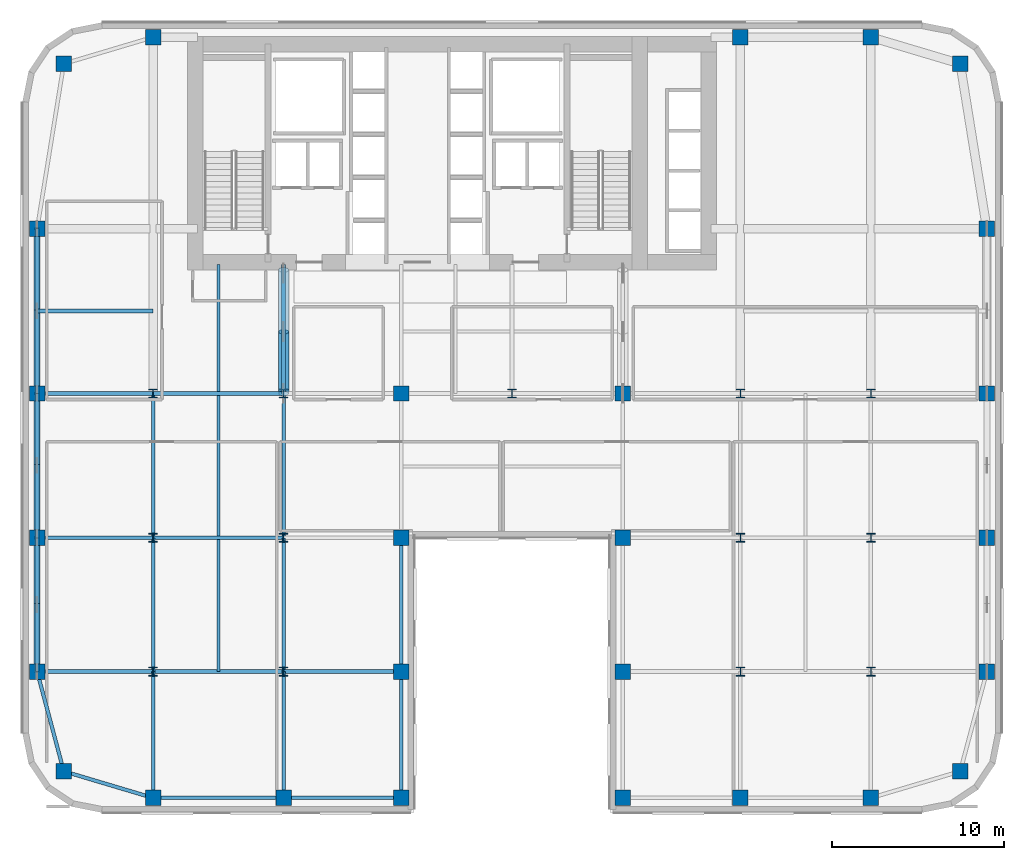
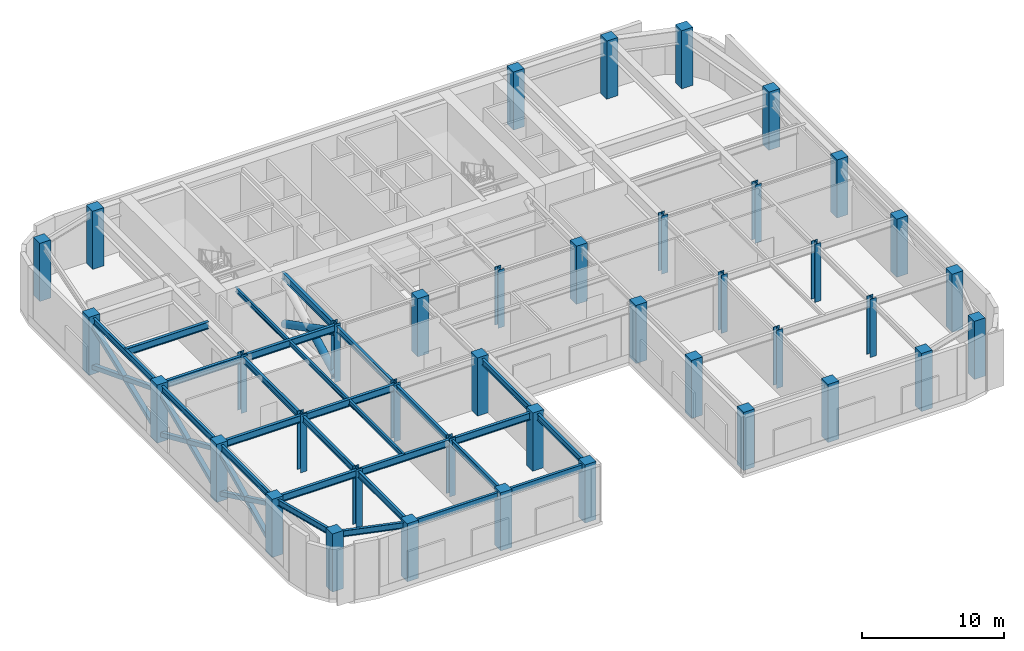
# One storey, part 1 of 11: 40 columns, 27 beams, 11 members.
"""IFC4 building model written with IfcOpenShell, lengths in metres."""

from ifc_helpers import new_model, si_unit, direction, frame, origin, origin_2d, place, context, subcontext, project, spatial, rectangle, hollow_rectangle, hollow_circle, i_section, extrude, source, transform, mapped, material, material_profile, profile_set, type_object, type_shapes, element, save


model = new_model("IFC4")

# Units and contexts
model_context = context("Model", 3, precision=1e-05, world=origin(), true_north=direction((0.0, 1.0)))
body_context = subcontext(model_context, "Body", "Model", "MODEL_VIEW")
ifc_project = project(units=[si_unit("LENGTHUNIT", "METRE"), si_unit("AREAUNIT", "SQUARE_METRE"), si_unit("VOLUMEUNIT", "CUBIC_METRE"), si_unit("PLANEANGLEUNIT", "RADIAN"), si_unit("MASSUNIT", "GRAM", prefix="KILO")], contexts=[model_context])

# Site, building, storey
site_placement = place(None, origin())
site = spatial("IfcSite", under=ifc_project, at=site_placement, CompositionType="ELEMENT")
building_placement = place(site_placement, origin())
building = spatial("IfcBuilding", under=site, at=building_placement, Name="Tolvann Quenvar Hotel", CompositionType="ELEMENT")
storey_placement = place(building_placement, frame((0.0, 0.0, 95.89990234375)))
storey = spatial("IfcBuildingStorey", under=building, at=storey_placement, Name="L24", CompositionType="ELEMENT", Elevation=95.89990234375)

# Columns
ifc_material_1 = material(Name="Concrete S65 (65 MPa)", Category="concrete")
ifc_material_profile_1 = material_profile(ifc_material_1, rectangle(XDim=0.89990234375, YDim=0.89990234375, at=origin_2d()), Name="RC900x900")
ifc_profile_set_1 = profile_set([ifc_material_profile_1], Name="Concrete S65 (65 MPa)")
column_type_1 = type_object("IfcColumnType", Name="COL_RC900", PredefinedType="COLUMN", material=ifc_profile_set_1)
shared_shape_1 = source(origin(), body_context, "Body", "SweptSolid", [
    extrude(rectangle(XDim=0.89990234375, YDim=0.89990234375, at=origin_2d()), origin(), (0.0, 0.0, 1.0), 5.0),
])
type_shapes(column_type_1, [shared_shape_1])
for number, where, z_axis, x_axis, name in (
    (1, (2.39990234375, 2.39990234375, 0.0), (0.0, 0.0, 1.0), (1.0, 0.0, 0.0), "Column B2 (L24)"),
    (2, (0.85009765625, 8.199951171875, 0.0), (0.0, 0.0, 1.0), (1.0, 0.0, 0.0), "Column B3 (L24)"),
    (3, (0.85009765625, 16.0, 0.0), (0.0, 0.0, 1.0), (1.0, 0.0, 0.0), "Column B4 (L24)"),
    (4, (0.85009765625, 24.39990234375, 0.0), (0.0, 0.0, 1.0), (1.0, 0.0, 0.0), "Column B5 (L24)"),
    (5, (7.60009765625, 0.85009765625, 0.0), (0.0, 0.0, 1.0), (1.0, 0.0, 0.0), "Column C2 (L24)"),
    (6, (15.199951171875, 0.85009765625, 0.0), (0.0, 0.0, 1.0), (1.0, 0.0, 0.0), "Column D2 (L24)"),
    (7, (22.050048828125, 0.85009765625, 0.0), (0.0, 0.0, 1.0), (1.0, 0.0, 0.0), "Column E2 (L24)"),
    (8, (22.050048828125, 8.199951171875, 0.0), (0.0, 0.0, 1.0), (1.0, 0.0, 0.0), "Column E3 (L24)"),
    (9, (22.050048828125, 16.0, 0.0), (0.0, 0.0, 1.0), (1.0, 0.0, 0.0), "Column E4 (L24)"),
    (10, (22.050048828125, 24.39990234375, 0.0), (0.0, 0.0, 1.0), (1.0, 0.0, 0.0), "Column E5 (L24)"),
    (11, (34.949951171875, 0.85009765625, 0.0), (0.0, 0.0, 1.0), (1.0, 0.0, 0.0), "Column F2 (L24)"),
    (12, (34.949951171875, 8.199951171875, 0.0), (0.0, 0.0, 1.0), (1.0, 0.0, 0.0), "Column F3 (L24)"),
    (13, (34.949951171875, 16.0, 0.0), (0.0, 0.0, 1.0), (1.0, 0.0, 0.0), "Column F4 (L24)"),
    (14, (34.949951171875, 24.39990234375, 0.0), (0.0, 0.0, 1.0), (1.0, 0.0, 0.0), "Column F5 (L24)"),
    (15, (41.800048828125, 0.85009765625, 0.0), (0.0, 0.0, 1.0), (1.0, 0.0, 0.0), "Column H2 (L24)"),
    (16, (49.39990234375, 0.85009765625, 0.0), (0.0, 0.0, 1.0), (1.0, 0.0, 0.0), "Column I2 (L24)"),
    (17, (54.60009765625, 2.39990234375, 0.0), (0.0, 0.0, 1.0), (1.0, 0.0, 0.0), "Column J2 (L24)"),
    (18, (56.14990234375, 8.199951171875, 0.0), (0.0, 0.0, 1.0), (1.0, 0.0, 0.0), "Column J3 (L24)"),
    (19, (56.14990234375, 16.0, 0.0), (0.0, 0.0, 1.0), (1.0, 0.0, 0.0), "Column J4 (L24)"),
    (20, (56.14990234375, 24.39990234375, 0.0), (0.0, 0.0, 1.0), (1.0, 0.0, 0.0), "Column J5 (L24)"),
    (21, (2.39990234375, 43.60009765625, 0.0), (0.0, 0.0, 1.0), (1.0, 0.0, 0.0), "Column BN (L24)"),
    (22, (7.60009765625, 45.14990234375, 0.0), (0.0, 0.0, 1.0), (1.0, 0.0, 0.0), "Column CN (L24)"),
    (23, (0.85009765625, 34.0, 0.0), (0.0, 0.0, 1.0), (1.0, 0.0, 0.0), "Column BD6 (L24)"),
    (24, (41.800048828125, 45.14990234375, 0.0), (0.0, 0.0, 1.0), (1.0, 0.0, 0.0), "Column HN (L24)"),
    (25, (49.39990234375, 45.14990234375, 0.0), (0.0, 0.0, 1.0), (1.0, 0.0, 0.0), "Column IN (L24)"),
    (26, (54.60009765625, 43.60009765625, 0.0), (0.0, 0.0, 1.0), (1.0, 0.0, 0.0), "Column JN (L24)"),
    (27, (56.14990234375, 34.0, 0.0), (0.0, 0.0, 1.0), (1.0, 0.0, 0.0), "Column JD6 (L24)"),
):
    element("IfcColumn", number, at=place(storey_placement, frame(where, z_axis=z_axis, x_axis=x_axis)), inside=storey, type_object=column_type_1, Name=name, PredefinedType="COLUMN", context=body_context, shape_type="MappedRepresentation", body=[
        mapped(shared_shape_1, transform((0.0, 0.0, 0.0), x_axis=(1.0, 0.0, 0.0), y_axis=(0.0, 1.0, 0.0), z_axis=(0.0, 0.0, 1.0), scale=1.0)),
    ])
ifc_material_2 = material(Name="Steel Grade 350", Category="steel")
ifc_material_profile_2 = material_profile(ifc_material_2, i_section(OverallWidth=0.5, OverallDepth=0.5, WebThickness=0.02197265625, FlangeThickness=0.033935546875, at=origin_2d()), Name="500WC340")
ifc_profile_set_2 = profile_set([ifc_material_profile_2], Name="Steel Grade 350")
column_type_2 = type_object("IfcColumnType", Name="COL_500WC340", PredefinedType="COLUMN", material=ifc_profile_set_2)
shared_shape_2 = source(origin(), body_context, "Body", "SweptSolid", [
    extrude(i_section(OverallWidth=0.5, OverallDepth=0.5, WebThickness=0.02197265625, FlangeThickness=0.033935546875, at=origin_2d()), origin(), (0.0, 0.0, 1.0), 5.0),
])
type_shapes(column_type_2, [shared_shape_2])
for number, where, z_axis, x_axis, name in (
    (28, (7.60009765625, 8.199951171875, 0.0), (0.0, 0.0, 1.0), (1.0, 0.0, 0.0), "Column C3 (L24)"),
    (29, (7.60009765625, 16.0, 0.0), (0.0, 0.0, 1.0), (1.0, 0.0, 0.0), "Column C4 (L24)"),
    (30, (7.60009765625, 24.39990234375, 0.0), (0.0, 0.0, 1.0), (1.0, 0.0, 0.0), "Column C5 (L24)"),
    (31, (15.199951171875, 8.199951171875, 0.0), (0.0, 0.0, 1.0), (1.0, 0.0, 0.0), "Column D3 (L24)"),
    (32, (15.199951171875, 16.0, 0.0), (0.0, 0.0, 1.0), (1.0, 0.0, 0.0), "Column D4 (L24)"),
    (33, (15.199951171875, 24.39990234375, 0.0), (0.0, 0.0, 1.0), (1.0, 0.0, 0.0), "Column D5 (L24)"),
    (34, (41.800048828125, 8.199951171875, 0.0), (0.0, 0.0, 1.0), (1.0, 0.0, 0.0), "Column H3 (L24)"),
    (35, (41.800048828125, 16.0, 0.0), (0.0, 0.0, 1.0), (1.0, 0.0, 0.0), "Column H4 (L24)"),
    (36, (41.800048828125, 24.39990234375, 0.0), (0.0, 0.0, 1.0), (1.0, 0.0, 0.0), "Column H5 (L24)"),
    (37, (49.39990234375, 8.199951171875, 0.0), (0.0, 0.0, 1.0), (1.0, 0.0, 0.0), "Column I3 (L24)"),
    (38, (49.39990234375, 16.0, 0.0), (0.0, 0.0, 1.0), (1.0, 0.0, 0.0), "Column I4 (L24)"),
    (39, (49.39990234375, 24.39990234375, 0.0), (0.0, 0.0, 1.0), (1.0, 0.0, 0.0), "Column I5 (L24)"),
    (40, (28.5, 24.39990234375, 0.0), (0.0, 0.0, 1.0), (1.0, 0.0, 0.0), "Column M5 (L24)"),
):
    element("IfcColumn", number, at=place(storey_placement, frame(where, z_axis=z_axis, x_axis=x_axis)), inside=storey, type_object=column_type_2, Name=name, PredefinedType="COLUMN", context=body_context, shape_type="MappedRepresentation", body=[
        mapped(shared_shape_2, transform((0.0, 0.0, 0.0), x_axis=(1.0, 0.0, 0.0), y_axis=(0.0, 1.0, 0.0), z_axis=(0.0, 0.0, 1.0), scale=1.0)),
    ])

# Beams
ifc_material_profile_3 = material_profile(ifc_material_2, i_section(OverallWidth=0.208984375, OverallDepth=0.528076171875, WebThickness=0.009521484375, FlangeThickness=0.01318359375, FilletRadius=0.013916015625, at=origin_2d()), Name="530UB82")
ifc_profile_set_3 = profile_set([ifc_material_profile_3], Name="Steel Grade 350")
beam_type_1 = type_object("IfcBeamType", Name="BM_SPAND_530UB82", PredefinedType="SPANDREL", material=ifc_profile_set_3)
shared_shape_3 = source(origin(), body_context, "Body", "SweptSolid", [
    extrude(i_section(OverallWidth=0.208984375, OverallDepth=0.528076171875, WebThickness=0.009521484375, FlangeThickness=0.01318359375, FilletRadius=0.013916015625, at=origin_2d()), origin(), (0.0, 0.0, 1.0), 5.42626953125),
])
beam_1_placement = place(storey_placement, frame((2.39990234375, 2.39990234375, 4.55615234375), z_axis=(0.958344815522, -0.285613750654, 0.0), x_axis=(0.285613750654, 0.958344815522, 0.0)))
element("IfcBeam", 41, at=beam_1_placement, inside=storey, type_object=beam_type_1, Name="BM-L24-EW-2-B2-C2", PredefinedType="SPANDREL", context=body_context, shape_type="MappedRepresentation", body=[
    mapped(shared_shape_3, transform((0.0, 0.0, 0.0), x_axis=(1.0, 0.0, 0.0), y_axis=(0.0, 1.0, 0.0), z_axis=(0.0, 0.0, 1.0), scale=1.0)),
])
shared_shape_4 = source(origin(), body_context, "Body", "SweptSolid", [
    extrude(i_section(OverallWidth=0.208984375, OverallDepth=0.528076171875, WebThickness=0.009521484375, FlangeThickness=0.01318359375, FilletRadius=0.013916015625, at=origin_2d()), origin(), (0.0, 0.0, 1.0), 7.599853515625),
])
beam_2_placement = place(storey_placement, frame((7.60009765625, 0.85009765625, 4.55615234375), z_axis=(1.0, 0.0, 0.0), x_axis=(0.0, 1.0, 0.0)))
element("IfcBeam", 42, at=beam_2_placement, inside=storey, type_object=beam_type_1, Name="BM-L24-EW-2-C2-D2", PredefinedType="SPANDREL", context=body_context, shape_type="MappedRepresentation", body=[
    mapped(shared_shape_4, transform((0.0, 0.0, 0.0), x_axis=(1.0, 0.0, 0.0), y_axis=(0.0, 1.0, 0.0), z_axis=(0.0, 0.0, 1.0), scale=1.0)),
])
shared_shape_5 = source(origin(), body_context, "Body", "SweptSolid", [
    extrude(i_section(OverallWidth=0.208984375, OverallDepth=0.528076171875, WebThickness=0.009521484375, FlangeThickness=0.01318359375, FilletRadius=0.013916015625, at=origin_2d()), origin(), (0.0, 0.0, 1.0), 6.85009765625),
])
beam_3_placement = place(storey_placement, frame((15.199951171875, 0.85009765625, 4.55615234375), z_axis=(1.0, 0.0, 0.0), x_axis=(0.0, 1.0, 0.0)))
element("IfcBeam", 43, at=beam_3_placement, inside=storey, type_object=beam_type_1, Name="BM-L24-EW-2-D2-E2", PredefinedType="SPANDREL", context=body_context, shape_type="MappedRepresentation", body=[
    mapped(shared_shape_5, transform((0.0, 0.0, 0.0), x_axis=(1.0, 0.0, 0.0), y_axis=(0.0, 1.0, 0.0), z_axis=(0.0, 0.0, 1.0), scale=1.0)),
])
ifc_material_profile_4 = material_profile(ifc_material_2, i_section(OverallWidth=0.22900390625, OverallDepth=0.612060546875, WebThickness=0.011962890625, FlangeThickness=0.01953125, FilletRadius=0.013916015625, at=origin_2d()), Name="610UB125")
ifc_profile_set_4 = profile_set([ifc_material_profile_4], Name="Steel Grade 350")
beam_type_2 = type_object("IfcBeamType", Name="BM_GIRD_610UB125", PredefinedType="BEAM", material=ifc_profile_set_4)
shared_shape_6 = source(origin(), body_context, "Body", "SweptSolid", [
    extrude(i_section(OverallWidth=0.22900390625, OverallDepth=0.612060546875, WebThickness=0.011962890625, FlangeThickness=0.01953125, FilletRadius=0.013916015625, at=origin_2d()), origin(), (0.0, 0.0, 1.0), 6.75),
])
for number, where, z_axis, x_axis, name in (
    (44, (0.85009765625, 8.199951171875, 4.51416015625), (1.0, 0.0, 0.0), (0.0, 1.0, 0.0), "BM-L24-EW-3-B3-C3"),
    (45, (0.85009765625, 16.0, 4.51416015625), (1.0, 0.0, 0.0), (0.0, 1.0, 0.0), "BM-L24-EW-4-B4-C4"),
    (46, (0.85009765625, 24.39990234375, 4.51416015625), (1.0, 0.0, 0.0), (0.0, 1.0, 0.0), "BM-L24-EW-5-B5-C5"),
    (47, (0.85009765625, 29.199951171875, 4.51416015625), (1.0, 0.0, 0.0), (0.0, 1.0, 0.0), "BM-L24-EW-BC29"),
):
    element("IfcBeam", number, at=place(storey_placement, frame(where, z_axis=z_axis, x_axis=x_axis)), inside=storey, type_object=beam_type_2, Name=name, PredefinedType="BEAM", context=body_context, shape_type="MappedRepresentation", body=[
        mapped(shared_shape_6, transform((0.0, 0.0, 0.0), x_axis=(1.0, 0.0, 0.0), y_axis=(0.0, 1.0, 0.0), z_axis=(0.0, 0.0, 1.0), scale=1.0)),
    ])
shared_shape_7 = source(origin(), body_context, "Body", "SweptSolid", [
    extrude(i_section(OverallWidth=0.22900390625, OverallDepth=0.612060546875, WebThickness=0.011962890625, FlangeThickness=0.01953125, FilletRadius=0.013916015625, at=origin_2d()), origin(), (0.0, 0.0, 1.0), 7.599853515625),
])
for number, where, z_axis, x_axis, name in (
    (48, (7.60009765625, 8.199951171875, 4.51416015625), (1.0, 0.0, 0.0), (0.0, 1.0, 0.0), "BM-L24-EW-3-C3-D3"),
    (49, (7.60009765625, 16.0, 4.51416015625), (1.0, 0.0, 0.0), (0.0, 1.0, 0.0), "BM-L24-EW-4-C4-D4"),
    (50, (7.60009765625, 24.39990234375, 4.51416015625), (1.0, 0.0, 0.0), (0.0, 1.0, 0.0), "BM-L24-EW-5-C5-D5"),
):
    element("IfcBeam", number, at=place(storey_placement, frame(where, z_axis=z_axis, x_axis=x_axis)), inside=storey, type_object=beam_type_2, Name=name, PredefinedType="BEAM", context=body_context, shape_type="MappedRepresentation", body=[
        mapped(shared_shape_7, transform((0.0, 0.0, 0.0), x_axis=(1.0, 0.0, 0.0), y_axis=(0.0, 1.0, 0.0), z_axis=(0.0, 0.0, 1.0), scale=1.0)),
    ])
shared_shape_8 = source(origin(), body_context, "Body", "SweptSolid", [
    extrude(i_section(OverallWidth=0.22900390625, OverallDepth=0.612060546875, WebThickness=0.011962890625, FlangeThickness=0.01953125, FilletRadius=0.013916015625, at=origin_2d()), origin(), (0.0, 0.0, 1.0), 6.85009765625),
])
beam_4_placement = place(storey_placement, frame((15.199951171875, 8.199951171875, 4.51416015625), z_axis=(1.0, 0.0, 0.0), x_axis=(0.0, 1.0, 0.0)))
element("IfcBeam", 51, at=beam_4_placement, inside=storey, type_object=beam_type_2, Name="BM-L24-EW-3-D3-E3", PredefinedType="BEAM", context=body_context, shape_type="MappedRepresentation", body=[
    mapped(shared_shape_8, transform((0.0, 0.0, 0.0), x_axis=(1.0, 0.0, 0.0), y_axis=(0.0, 1.0, 0.0), z_axis=(0.0, 0.0, 1.0), scale=1.0)),
])
shared_shape_9 = source(origin(), body_context, "Body", "SweptSolid", [
    extrude(i_section(OverallWidth=0.208984375, OverallDepth=0.528076171875, WebThickness=0.009521484375, FlangeThickness=0.01318359375, FilletRadius=0.013916015625, at=origin_2d()), origin(), (0.0, 0.0, 1.0), 6.00341796875),
])
beam_5_placement = place(storey_placement, frame((2.39990234375, 2.39990234375, 4.55615234375), z_axis=(-0.258148586649, 0.966105225745, 0.0), x_axis=(-0.966105225745, -0.258148586649, 0.0)))
element("IfcBeam", 52, at=beam_5_placement, inside=storey, type_object=beam_type_1, Name="BM-L24-NS-B2-B3", PredefinedType="SPANDREL", context=body_context, shape_type="MappedRepresentation", body=[
    mapped(shared_shape_9, transform((0.0, 0.0, 0.0), x_axis=(1.0, 0.0, 0.0), y_axis=(0.0, 1.0, 0.0), z_axis=(0.0, 0.0, 1.0), scale=1.0)),
])
shared_shape_10 = source(origin(), body_context, "Body", "SweptSolid", [
    extrude(i_section(OverallWidth=0.208984375, OverallDepth=0.528076171875, WebThickness=0.009521484375, FlangeThickness=0.01318359375, FilletRadius=0.013916015625, at=origin_2d()), origin(), (0.0, 0.0, 1.0), 7.800048828125),
])
beam_6_placement = place(storey_placement, frame((0.85009765625, 8.199951171875, 4.55615234375), z_axis=(0.0, 1.0, 0.0), x_axis=(-1.0, 0.0, 0.0)))
element("IfcBeam", 53, at=beam_6_placement, inside=storey, type_object=beam_type_1, Name="BM-L24-NS-B3-B4", PredefinedType="SPANDREL", context=body_context, shape_type="MappedRepresentation", body=[
    mapped(shared_shape_10, transform((0.0, 0.0, 0.0), x_axis=(1.0, 0.0, 0.0), y_axis=(0.0, 1.0, 0.0), z_axis=(0.0, 0.0, 1.0), scale=1.0)),
])
shared_shape_11 = source(origin(), body_context, "Body", "SweptSolid", [
    extrude(i_section(OverallWidth=0.208984375, OverallDepth=0.528076171875, WebThickness=0.009521484375, FlangeThickness=0.01318359375, FilletRadius=0.013916015625, at=origin_2d()), origin(), (0.0, 0.0, 1.0), 8.39990234375),
])
beam_7_placement = place(storey_placement, frame((0.85009765625, 16.0, 4.55615234375), z_axis=(0.0, 1.0, 0.0), x_axis=(-1.0, 0.0, 0.0)))
element("IfcBeam", 54, at=beam_7_placement, inside=storey, type_object=beam_type_1, Name="BM-L24-NS-B4-B5", PredefinedType="SPANDREL", context=body_context, shape_type="MappedRepresentation", body=[
    mapped(shared_shape_11, transform((0.0, 0.0, 0.0), x_axis=(1.0, 0.0, 0.0), y_axis=(0.0, 1.0, 0.0), z_axis=(0.0, 0.0, 1.0), scale=1.0)),
])
ifc_material_profile_5 = material_profile(ifc_material_2, i_section(OverallWidth=0.208984375, OverallDepth=0.532958984375, WebThickness=0.01025390625, FlangeThickness=0.015625, FilletRadius=0.013916015625, at=origin_2d()), Name="530UB92")
ifc_profile_set_5 = profile_set([ifc_material_profile_5], Name="Steel Grade 350")
beam_type_3 = type_object("IfcBeamType", Name="BM_GIRD_530UB92", PredefinedType="BEAM", material=ifc_profile_set_5)
shared_shape_12 = source(origin(), body_context, "Body", "SweptSolid", [
    extrude(i_section(OverallWidth=0.208984375, OverallDepth=0.532958984375, WebThickness=0.01025390625, FlangeThickness=0.015625, FilletRadius=0.013916015625, at=origin_2d()), origin(), (0.0, 0.0, 1.0), 7.349853515625),
])
for number, where, z_axis, x_axis, name in (
    (55, (7.60009765625, 0.85009765625, 4.5537109375), (0.0, 1.0, 0.0), (-1.0, 0.0, 0.0), "BM-L24-NS-C2-C3"),
    (56, (15.199951171875, 0.85009765625, 4.5537109375), (0.0, 1.0, 0.0), (-1.0, 0.0, 0.0), "BM-L24-NS-D2-D3"),
    (57, (22.050048828125, 0.85009765625, 4.5537109375), (0.0, 1.0, 0.0), (-1.0, 0.0, 0.0), "BM-L24-NS-E2-E3"),
):
    element("IfcBeam", number, at=place(storey_placement, frame(where, z_axis=z_axis, x_axis=x_axis)), inside=storey, type_object=beam_type_3, Name=name, PredefinedType="BEAM", context=body_context, shape_type="MappedRepresentation", body=[
        mapped(shared_shape_12, transform((0.0, 0.0, 0.0), x_axis=(1.0, 0.0, 0.0), y_axis=(0.0, 1.0, 0.0), z_axis=(0.0, 0.0, 1.0), scale=1.0)),
    ])
shared_shape_13 = source(origin(), body_context, "Body", "SweptSolid", [
    extrude(i_section(OverallWidth=0.208984375, OverallDepth=0.532958984375, WebThickness=0.01025390625, FlangeThickness=0.015625, FilletRadius=0.013916015625, at=origin_2d()), origin(), (0.0, 0.0, 1.0), 7.800048828125),
])
for number, where, z_axis, x_axis, name in (
    (58, (7.60009765625, 8.199951171875, 4.5537109375), (0.0, 1.0, 0.0), (-1.0, 0.0, 0.0), "BM-L24-NS-C3-C4"),
    (59, (15.199951171875, 8.199951171875, 4.5537109375), (0.0, 1.0, 0.0), (-1.0, 0.0, 0.0), "BM-L24-NS-D3-D4"),
    (60, (22.050048828125, 8.199951171875, 4.5537109375), (0.0, 1.0, 0.0), (-1.0, 0.0, 0.0), "BM-L24-NS-E3-E4"),
):
    element("IfcBeam", number, at=place(storey_placement, frame(where, z_axis=z_axis, x_axis=x_axis)), inside=storey, type_object=beam_type_3, Name=name, PredefinedType="BEAM", context=body_context, shape_type="MappedRepresentation", body=[
        mapped(shared_shape_13, transform((0.0, 0.0, 0.0), x_axis=(1.0, 0.0, 0.0), y_axis=(0.0, 1.0, 0.0), z_axis=(0.0, 0.0, 1.0), scale=1.0)),
    ])
shared_shape_14 = source(origin(), body_context, "Body", "SweptSolid", [
    extrude(i_section(OverallWidth=0.208984375, OverallDepth=0.532958984375, WebThickness=0.01025390625, FlangeThickness=0.015625, FilletRadius=0.013916015625, at=origin_2d()), origin(), (0.0, 0.0, 1.0), 8.39990234375),
])
type_shapes(beam_type_3, [shared_shape_12, shared_shape_13, shared_shape_14])
for number, where, z_axis, x_axis, name in (
    (61, (7.60009765625, 16.0, 4.5537109375), (0.0, 1.0, 0.0), (-1.0, 0.0, 0.0), "BM-L24-NS-C4-C5"),
    (62, (15.199951171875, 16.0, 4.5537109375), (0.0, 1.0, 0.0), (-1.0, 0.0, 0.0), "BM-L24-NS-D4-D5"),
):
    element("IfcBeam", number, at=place(storey_placement, frame(where, z_axis=z_axis, x_axis=x_axis)), inside=storey, type_object=beam_type_3, Name=name, PredefinedType="BEAM", context=body_context, shape_type="MappedRepresentation", body=[
        mapped(shared_shape_14, transform((0.0, 0.0, 0.0), x_axis=(1.0, 0.0, 0.0), y_axis=(0.0, 1.0, 0.0), z_axis=(0.0, 0.0, 1.0), scale=1.0)),
    ])
shared_shape_15 = source(origin(), body_context, "Body", "SweptSolid", [
    extrude(i_section(OverallWidth=0.22900390625, OverallDepth=0.612060546875, WebThickness=0.011962890625, FlangeThickness=0.01953125, FilletRadius=0.013916015625, at=origin_2d()), origin(), (0.0, 0.0, 1.0), 7.5),
])
type_shapes(beam_type_2, [shared_shape_6, shared_shape_7, shared_shape_8, shared_shape_15])
beam_8_placement = place(storey_placement, frame((15.199951171875, 24.39990234375, 4.51416015625), z_axis=(0.0, 1.0, 0.0), x_axis=(-1.0, 0.0, 0.0)))
element("IfcBeam", 63, at=beam_8_placement, inside=storey, type_object=beam_type_2, Name="BM-L24-CORE-D5", PredefinedType="BEAM", context=body_context, shape_type="MappedRepresentation", body=[
    mapped(shared_shape_15, transform((0.0, 0.0, 0.0), x_axis=(1.0, 0.0, 0.0), y_axis=(0.0, 1.0, 0.0), z_axis=(0.0, 0.0, 1.0), scale=1.0)),
])
shared_shape_16 = source(origin(), body_context, "Body", "SweptSolid", [
    extrude(i_section(OverallWidth=0.208984375, OverallDepth=0.528076171875, WebThickness=0.009521484375, FlangeThickness=0.01318359375, FilletRadius=0.013916015625, at=origin_2d()), origin(), (0.0, 0.0, 1.0), 9.60009765625),
])
type_shapes(beam_type_1, [shared_shape_3, shared_shape_4, shared_shape_5, shared_shape_9, shared_shape_10, shared_shape_11, shared_shape_16])
beam_9_placement = place(storey_placement, frame((0.85009765625, 24.39990234375, 4.55615234375), z_axis=(0.0, 1.0, 0.0), x_axis=(-1.0, 0.0, 0.0)))
element("IfcBeam", 64, at=beam_9_placement, inside=storey, type_object=beam_type_1, Name="BM-L24-FLK-W1", PredefinedType="SPANDREL", context=body_context, shape_type="MappedRepresentation", body=[
    mapped(shared_shape_16, transform((0.0, 0.0, 0.0), x_axis=(1.0, 0.0, 0.0), y_axis=(0.0, 1.0, 0.0), z_axis=(0.0, 0.0, 1.0), scale=1.0)),
])
ifc_material_profile_6 = material_profile(ifc_material_2, i_section(OverallWidth=0.177978515625, OverallDepth=0.406005859375, WebThickness=0.0078125, FlangeThickness=0.0126953125, FilletRadius=0.011474609375, at=origin_2d()), Name="410UB60")
ifc_profile_set_6 = profile_set([ifc_material_profile_6], Name="Steel Grade 350")
beam_type_4 = type_object("IfcBeamType", Name="BM_JOIST_410UB60", PredefinedType="JOIST", material=ifc_profile_set_6)
shared_shape_17 = source(origin(), body_context, "Body", "SweptSolid", [
    extrude(i_section(OverallWidth=0.177978515625, OverallDepth=0.406005859375, WebThickness=0.0078125, FlangeThickness=0.0126953125, FilletRadius=0.011474609375, at=origin_2d()), origin(), (0.0, 0.0, 1.0), 7.691650390625),
])
beam_10_placement = place(storey_placement, frame((11.39990234375, 8.199951171875, 4.6171875), z_axis=(0.0, 1.0, 0.0), x_axis=(-1.0, 0.0, 0.0)))
element("IfcBeam", 65, at=beam_10_placement, inside=storey, type_object=beam_type_4, Name="BJ-L24-114-82", PredefinedType="JOIST", context=body_context, shape_type="MappedRepresentation", body=[
    mapped(shared_shape_17, transform((0.0, 0.0, 0.0), x_axis=(1.0, 0.0, 0.0), y_axis=(0.0, 1.0, 0.0), z_axis=(0.0, 0.0, 1.0), scale=1.0)),
])
shared_shape_18 = source(origin(), body_context, "Body", "SweptSolid", [
    extrude(i_section(OverallWidth=0.177978515625, OverallDepth=0.406005859375, WebThickness=0.0078125, FlangeThickness=0.0126953125, FilletRadius=0.011474609375, at=origin_2d()), origin(), (0.0, 0.0, 1.0), 8.18310546875),
])
beam_11_placement = place(storey_placement, frame((11.39990234375, 16.1083984375, 4.6171875), z_axis=(0.0, 1.0, 0.0), x_axis=(-1.0, 0.0, 0.0)))
element("IfcBeam", 66, at=beam_11_placement, inside=storey, type_object=beam_type_4, Name="BJ-L24-114-160", PredefinedType="JOIST", context=body_context, shape_type="MappedRepresentation", body=[
    mapped(shared_shape_18, transform((0.0, 0.0, 0.0), x_axis=(1.0, 0.0, 0.0), y_axis=(0.0, 1.0, 0.0), z_axis=(0.0, 0.0, 1.0), scale=1.0)),
])
shared_shape_19 = source(origin(), body_context, "Body", "SweptSolid", [
    extrude(i_section(OverallWidth=0.177978515625, OverallDepth=0.406005859375, WebThickness=0.0078125, FlangeThickness=0.0126953125, FilletRadius=0.011474609375, at=origin_2d()), origin(), (0.0, 0.0, 1.0), 7.391357421875),
])
type_shapes(beam_type_4, [shared_shape_17, shared_shape_18, shared_shape_19])
beam_12_placement = place(storey_placement, frame((11.39990234375, 24.508544921875, 4.6171875), z_axis=(0.0, 1.0, 0.0), x_axis=(-1.0, 0.0, 0.0)))
element("IfcBeam", 67, at=beam_12_placement, inside=storey, type_object=beam_type_4, Name="BJ-L24-114-244", PredefinedType="JOIST", context=body_context, shape_type="MappedRepresentation", body=[
    mapped(shared_shape_19, transform((0.0, 0.0, 0.0), x_axis=(1.0, 0.0, 0.0), y_axis=(0.0, 1.0, 0.0), z_axis=(0.0, 0.0, 1.0), scale=1.0)),
])

# Members
ifc_material_3 = material(Name="Steel Grade 450 (C450L0)", Category="steel")
ifc_material_profile_7 = material_profile(ifc_material_3, hollow_circle(Radius=0.304931640625, WallThickness=0.01611328125, at=origin_2d()), Name="610x16CHS")
ifc_profile_set_7 = profile_set([ifc_material_profile_7], Name="Steel Grade 450 (C450L0)")
member_type_1 = type_object("IfcMemberType", Name="MEM_DIAG_610CHS", PredefinedType="BRACE", material=ifc_profile_set_7)
shared_shape_20 = source(origin(), body_context, "Body", "SweptSolid", [
    extrude(hollow_circle(Radius=0.304931640625, WallThickness=0.01611328125, at=origin_2d()), origin(), (0.0, 0.0, 1.0), 8.1044921875),
])
member_1_placement = place(storey_placement, frame((15.199951171875, 31.60009765625, 0.4501953125), z_axis=(0.0, -0.888432458735, 0.4590073706), x_axis=(1.0, 0.0, 0.0)))
element("IfcMember", 68, at=member_1_placement, inside=storey, type_object=member_type_1, Name="Outrigger Truss Primary Diagonal L24-1A", PredefinedType="BRACE", context=body_context, shape_type="MappedRepresentation", body=[
    mapped(shared_shape_20, transform((0.0, 0.0, 0.0), x_axis=(1.0, 0.0, 0.0), y_axis=(0.0, 1.0, 0.0), z_axis=(0.0, 0.0, 1.0), scale=1.0)),
])
shared_shape_21 = source(origin(), body_context, "Body", "SweptSolid", [
    extrude(hollow_circle(Radius=0.304931640625, WallThickness=0.01611328125, at=origin_2d()), origin(), (0.0, 0.0, 1.0), 4.05224609375),
])
type_shapes(member_type_1, [shared_shape_20, shared_shape_21])
member_2_placement = place(storey_placement, frame((15.199951171875, 24.39990234375, 0.4501953125), z_axis=(0.0, 0.888444743279, 0.458983592452), x_axis=(-1.0, 0.0, 0.0)))
element("IfcMember", 69, at=member_2_placement, inside=storey, type_object=member_type_1, Name="Outrigger Truss Split Diagonal Lower L24-1B1", PredefinedType="BRACE", context=body_context, shape_type="MappedRepresentation", body=[
    mapped(shared_shape_21, transform((0.0, 0.0, 0.0), x_axis=(1.0, 0.0, 0.0), y_axis=(0.0, 1.0, 0.0), z_axis=(0.0, 0.0, 1.0), scale=1.0)),
])
ifc_material_profile_8 = material_profile(ifc_material_3, hollow_rectangle(XDim=0.35009765625, YDim=0.35009765625, WallThickness=0.01611328125, at=origin_2d()), Name="350x350x16SHS")
ifc_profile_set_8 = profile_set([ifc_material_profile_8], Name="Steel Grade 450 (C450L0)")
member_type_2 = type_object("IfcMemberType", Name="MEM_BELT_350SHS", PredefinedType="BRACE", material=ifc_profile_set_8)
shared_shape_22 = source(origin(), body_context, "Body", "SweptSolid", [
    extrude(hollow_rectangle(XDim=0.35009765625, YDim=0.35009765625, WallThickness=0.01611328125, at=origin_2d()), origin(), (0.0, 0.0, 1.0), 8.6416015625),
])
member_3_placement = place(storey_placement, frame((0.85009765625, 8.199951171875, 0.4501953125), z_axis=(0.0, 0.902606045466, 0.430467567522), x_axis=(-1.0, 0.0, 0.0)))
element("IfcMember", 70, at=member_3_placement, inside=storey, type_object=member_type_2, Name="Belt Truss Primary Brace L24-W1A", PredefinedType="BRACE", context=body_context, shape_type="MappedRepresentation", body=[
    mapped(shared_shape_22, transform((0.0, 0.0, 0.0), x_axis=(1.0, 0.0, 0.0), y_axis=(0.0, 1.0, 0.0), z_axis=(0.0, 0.0, 1.0), scale=1.0)),
])
shared_shape_23 = source(origin(), body_context, "Body", "SweptSolid", [
    extrude(hollow_rectangle(XDim=0.35009765625, YDim=0.35009765625, WallThickness=0.01611328125, at=origin_2d()), origin(), (0.0, 0.0, 1.0), 4.32080078125),
])
member_4_placement = place(storey_placement, frame((0.85009765625, 16.0, 0.4501953125), z_axis=(0.0, -0.902611787438, 0.430455527526), x_axis=(1.0, 0.0, 0.0)))
element("IfcMember", 71, at=member_4_placement, inside=storey, type_object=member_type_2, Name="Belt Truss Split Brace Lower L24-W1B1", PredefinedType="BRACE", context=body_context, shape_type="MappedRepresentation", body=[
    mapped(shared_shape_23, transform((0.0, 0.0, 0.0), x_axis=(1.0, 0.0, 0.0), y_axis=(0.0, 1.0, 0.0), z_axis=(0.0, 0.0, 1.0), scale=1.0)),
])
shared_shape_24 = source(origin(), body_context, "Body", "SweptSolid", [
    extrude(hollow_rectangle(XDim=0.35009765625, YDim=0.35009765625, WallThickness=0.01611328125, at=origin_2d()), origin(), (0.0, 0.0, 1.0), 4.321044921875),
])
member_5_placement = place(storey_placement, frame((0.85009765625, 12.10009765625, 2.31005859375), z_axis=(0.0, -0.902600303766, 0.430479606535), x_axis=(1.0, 0.0, 0.0)))
element("IfcMember", 72, at=member_5_placement, inside=storey, type_object=member_type_2, Name="Belt Truss Split Brace Upper L24-W1B2", PredefinedType="BRACE", context=body_context, shape_type="MappedRepresentation", body=[
    mapped(shared_shape_24, transform((0.0, 0.0, 0.0), x_axis=(1.0, 0.0, 0.0), y_axis=(0.0, 1.0, 0.0), z_axis=(0.0, 0.0, 1.0), scale=1.0)),
])
shared_shape_25 = source(origin(), body_context, "Body", "SweptSolid", [
    extrude(hollow_rectangle(XDim=0.35009765625, YDim=0.35009765625, WallThickness=0.01611328125, at=origin_2d()), origin(), (0.0, 0.0, 1.0), 9.186767578125),
])
member_6_placement = place(storey_placement, frame((0.85009765625, 16.0, 0.4501953125), z_axis=(0.0, 0.914348827398, 0.404927427863), x_axis=(-1.0, 0.0, 0.0)))
element("IfcMember", 73, at=member_6_placement, inside=storey, type_object=member_type_2, Name="Belt Truss Primary Brace L24-W2A", PredefinedType="BRACE", context=body_context, shape_type="MappedRepresentation", body=[
    mapped(shared_shape_25, transform((0.0, 0.0, 0.0), x_axis=(1.0, 0.0, 0.0), y_axis=(0.0, 1.0, 0.0), z_axis=(0.0, 0.0, 1.0), scale=1.0)),
])
shared_shape_26 = source(origin(), body_context, "Body", "SweptSolid", [
    extrude(hollow_rectangle(XDim=0.35009765625, YDim=0.35009765625, WallThickness=0.01611328125, at=origin_2d()), origin(), (0.0, 0.0, 1.0), 4.59326171875),
])
member_7_placement = place(storey_placement, frame((0.85009765625, 24.39990234375, 0.4501953125), z_axis=(0.0, -0.914358666594, 0.404905209679), x_axis=(1.0, 0.0, 0.0)))
element("IfcMember", 74, at=member_7_placement, inside=storey, type_object=member_type_2, Name="Belt Truss Split Brace Lower L24-W2B1", PredefinedType="BRACE", context=body_context, shape_type="MappedRepresentation", body=[
    mapped(shared_shape_26, transform((0.0, 0.0, 0.0), x_axis=(1.0, 0.0, 0.0), y_axis=(0.0, 1.0, 0.0), z_axis=(0.0, 0.0, 1.0), scale=1.0)),
])
shared_shape_27 = source(origin(), body_context, "Body", "SweptSolid", [
    extrude(hollow_rectangle(XDim=0.35009765625, YDim=0.35009765625, WallThickness=0.01611328125, at=origin_2d()), origin(), (0.0, 0.0, 1.0), 4.593505859375),
])
member_8_placement = place(storey_placement, frame((0.85009765625, 20.199951171875, 2.31005859375), z_axis=(0.0, -0.914338987874, 0.40494964533), x_axis=(1.0, 0.0, 0.0)))
element("IfcMember", 75, at=member_8_placement, inside=storey, type_object=member_type_2, Name="Belt Truss Split Brace Upper L24-W2B2", PredefinedType="BRACE", context=body_context, shape_type="MappedRepresentation", body=[
    mapped(shared_shape_27, transform((0.0, 0.0, 0.0), x_axis=(1.0, 0.0, 0.0), y_axis=(0.0, 1.0, 0.0), z_axis=(0.0, 0.0, 1.0), scale=1.0)),
])
shared_shape_28 = source(origin(), body_context, "Body", "SweptSolid", [
    extrude(hollow_rectangle(XDim=0.35009765625, YDim=0.35009765625, WallThickness=0.01611328125, at=origin_2d()), origin(), (0.0, 0.0, 1.0), 10.295654296875),
])
member_9_placement = place(storey_placement, frame((0.85009765625, 24.39990234375, 0.4501953125), z_axis=(0.0, 0.932443662189, 0.361315398016), x_axis=(-1.0, 0.0, 0.0)))
element("IfcMember", 76, at=member_9_placement, inside=storey, type_object=member_type_2, Name="Belt Truss Primary Brace L24-W3A", PredefinedType="BRACE", context=body_context, shape_type="MappedRepresentation", body=[
    mapped(shared_shape_28, transform((0.0, 0.0, 0.0), x_axis=(1.0, 0.0, 0.0), y_axis=(0.0, 1.0, 0.0), z_axis=(0.0, 0.0, 1.0), scale=1.0)),
])
shared_shape_29 = source(origin(), body_context, "Body", "SweptSolid", [
    extrude(hollow_rectangle(XDim=0.35009765625, YDim=0.35009765625, WallThickness=0.01611328125, at=origin_2d()), origin(), (0.0, 0.0, 1.0), 5.147705078125),
])
member_10_placement = place(storey_placement, frame((0.85009765625, 34.0, 0.4501953125), z_axis=(0.0, -0.932451651097, 0.361294780431), x_axis=(1.0, 0.0, 0.0)))
element("IfcMember", 77, at=member_10_placement, inside=storey, type_object=member_type_2, Name="Belt Truss Split Brace Lower L24-W3B1", PredefinedType="BRACE", context=body_context, shape_type="MappedRepresentation", body=[
    mapped(shared_shape_29, transform((0.0, 0.0, 0.0), x_axis=(1.0, 0.0, 0.0), y_axis=(0.0, 1.0, 0.0), z_axis=(0.0, 0.0, 1.0), scale=1.0)),
])
shared_shape_30 = source(origin(), body_context, "Body", "SweptSolid", [
    extrude(hollow_rectangle(XDim=0.35009765625, YDim=0.35009765625, WallThickness=0.01611328125, at=origin_2d()), origin(), (0.0, 0.0, 1.0), 5.14794921875),
])
type_shapes(member_type_2, [shared_shape_22, shared_shape_23, shared_shape_24, shared_shape_25, shared_shape_26, shared_shape_27, shared_shape_28, shared_shape_29, shared_shape_30])
member_11_placement = place(storey_placement, frame((0.85009765625, 29.199951171875, 2.31005859375), z_axis=(0.0, -0.932435672962, 0.36133601507), x_axis=(1.0, 0.0, 0.0)))
element("IfcMember", 78, at=member_11_placement, inside=storey, type_object=member_type_2, Name="Belt Truss Split Brace Upper L24-W3B2", PredefinedType="BRACE", context=body_context, shape_type="MappedRepresentation", body=[
    mapped(shared_shape_30, transform((0.0, 0.0, 0.0), x_axis=(1.0, 0.0, 0.0), y_axis=(0.0, 1.0, 0.0), z_axis=(0.0, 0.0, 1.0), scale=1.0)),
])

save(model, "model.ifc")
